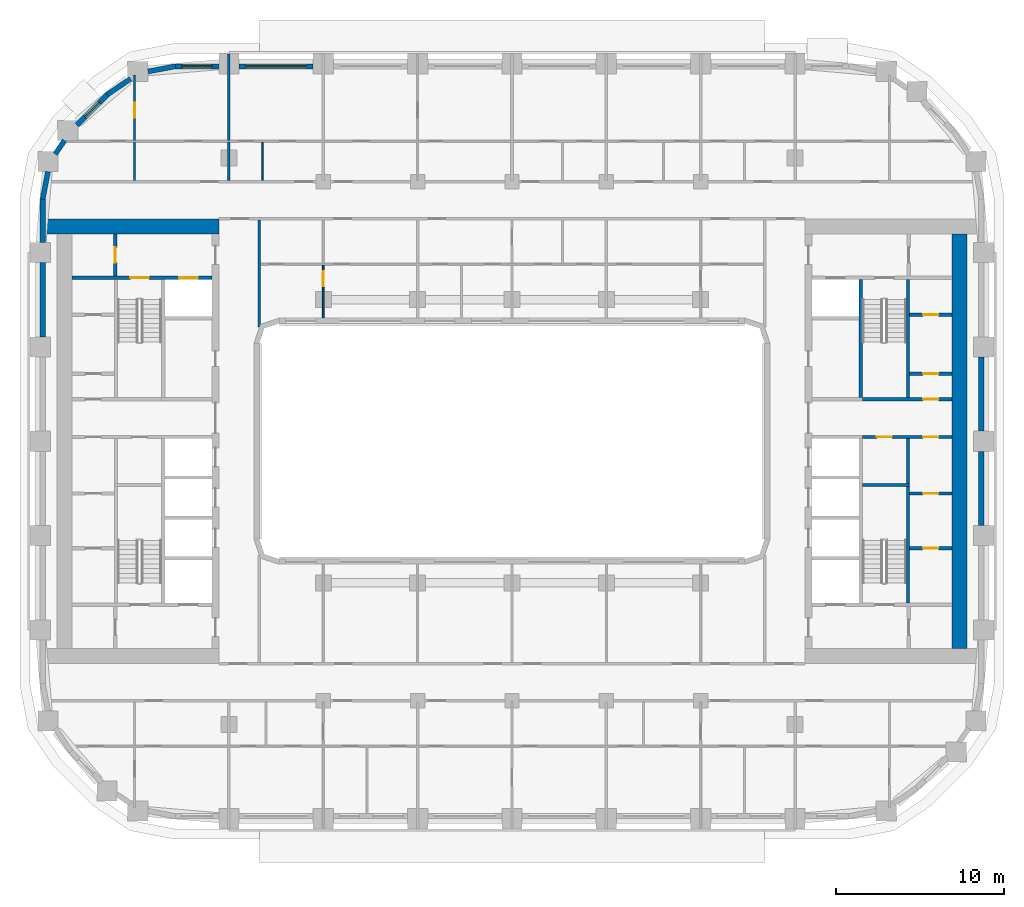
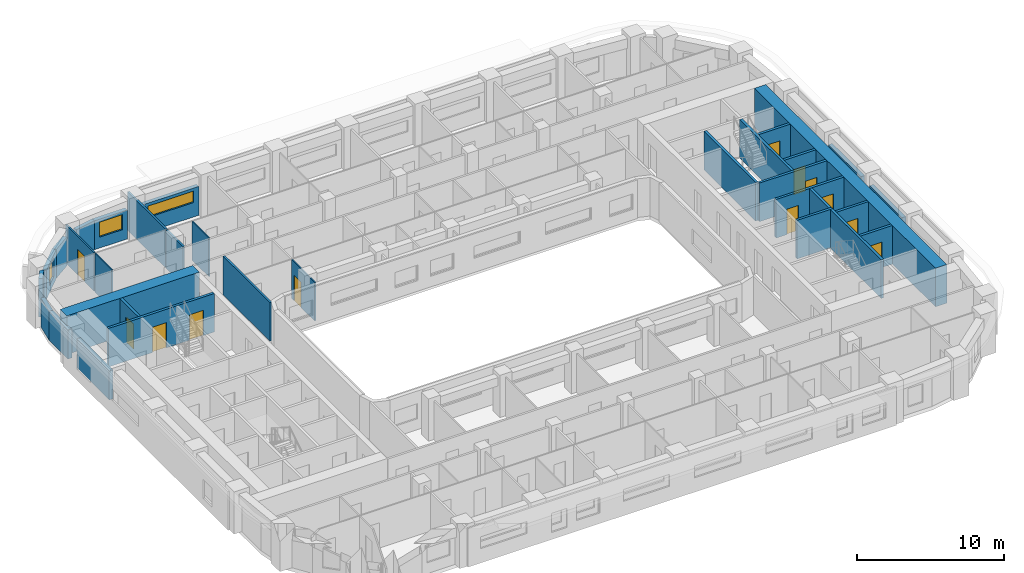
# One storey, part 7 of 21: 33 walls, 12 doors, 3 windows, 15 openings.
"""IFC4 building model written with IfcOpenShell, lengths in metres."""

from ifc_helpers import new_model, si_unit, direction, frame, frame_2d, origin, place, context, subcontext, project, spatial, rectangle, extrude, material, layer, layer_set, type_object, element, fill, save


model = new_model("IFC4")

# Units and contexts
model_context = context("Model", 3, precision=1e-05, world=origin(), true_north=direction((0.0, 1.0)))
body_context = subcontext(model_context, "Body", "Model", "MODEL_VIEW")
ifc_project = project(units=[si_unit("LENGTHUNIT", "METRE"), si_unit("AREAUNIT", "SQUARE_METRE"), si_unit("VOLUMEUNIT", "CUBIC_METRE"), si_unit("PLANEANGLEUNIT", "RADIAN"), si_unit("MASSUNIT", "GRAM", prefix="KILO")], contexts=[model_context])

# Site, building, storey
site_placement = place(None, origin())
site = spatial("IfcSite", under=ifc_project, at=site_placement, CompositionType="ELEMENT")
building_placement = place(site_placement, origin())
building = spatial("IfcBuilding", under=site, at=building_placement, Name="Kiln Ring Residences", CompositionType="ELEMENT")
storey_placement = place(building_placement, frame((0.0, 0.0, 114.800048828125)))
storey = spatial("IfcBuildingStorey", under=building, at=storey_placement, Name="L29", CompositionType="ELEMENT", Elevation=114.800048828125)

# Wall, opening, door
ifc_material_1 = material(Name="Gypsum board on steel studs", Category="steel")
ifc_layer_1 = layer(ifc_material_1, 0.199951171875)
ifc_layer_set_1 = layer_set([ifc_layer_1], Name="CORE-PARTITION-200")
wall_type_1 = type_object("IfcWallType", Name="CORE-PARTITION-200", PredefinedType="PARTITIONING", material=ifc_layer_set_1)
wall_1_placement = place(storey_placement, frame((-23.550048828125, 9.800048828125, 0.0), z_axis=(0.0, 0.0, 1.0), x_axis=(0.0, 1.0, 0.0)))
wall_1 = element("IfcWall", 1, at=wall_1_placement, inside=storey, type_object=wall_type_1, Name="Core partition west L29 3", PredefinedType="PARTITIONING", context=body_context, shape_type="SweptSolid", body=[
    extrude(rectangle(XDim=2.5, YDim=0.199951171875, at=frame_2d((1.25, 0.0))), origin(), (0.0, 0.0, 1.0), 3.199951171875),
])
opening_1_placement = place(wall_1_placement, frame((0.800048828125, 0.0, 0.0)))
opening_1 = element("IfcOpeningElement", 2, at=opening_1_placement, cuts=wall_1, Name="Opening L29-CW09", PredefinedType="OPENING", context=body_context, shape_type="SweptSolid", body=[
    extrude(rectangle(XDim=0.89990234375, YDim=2.10009765625, at=frame_2d((0.449951171875, 1.050048828125))), frame((0.0, 0.10986328125, 0.0), z_axis=(0.0, -1.0, 0.0), x_axis=(1.0, 0.0, 0.0)), (0.0, 0.0, 1.0), 0.219970703125),
])
ifc_material_2 = material(Name="Steel door leaf", Category="steel")
door_type_1 = type_object("IfcDoorType", Name="CORE-DOOR-ROOM", OperationType="SINGLE_SWING_LEFT", PredefinedType="DOOR", material=ifc_material_2)
door_1_placement = place(opening_1_placement, origin())
door_1 = element("IfcDoor", 3, at=door_1_placement, inside=storey, type_object=door_type_1, Name="Fire riser room L29-CW09", OperationType="SINGLE_SWING_LEFT", OverallHeight=2.10009765625, OverallWidth=0.89990234375, PredefinedType="DOOR", context=body_context, shape_type="SweptSolid", body=[
    extrude(rectangle(XDim=0.89990234375, YDim=2.10009765625, at=frame_2d((0.449951171875, 1.050048828125))), frame((0.0, 0.02490234375, 0.0), z_axis=(0.0, -1.0, 0.0), x_axis=(1.0, 0.0, 0.0)), (0.0, 0.0, 1.0), 0.050048828125),
])
fill(opening_1, door_1)

# Wall
wall_2_placement = place(storey_placement, frame((23.5, -2.5, 0.0), z_axis=(0.0, 0.0, 1.0), x_axis=(0.0, 1.0, 0.0)))
element("IfcWall", 4, at=wall_2_placement, inside=storey, type_object=wall_type_1, Name="Core partition east L29 1", PredefinedType="PARTITIONING", context=body_context, shape_type="SweptSolid", body=[
    extrude(rectangle(XDim=2.64990234375, YDim=0.199951171875, at=frame_2d((1.324951171875, 0.0))), origin(), (0.0, 0.0, 1.0), 3.199951171875),
])

# Wall, openings, doors
wall_3_placement = place(storey_placement, frame((20.800048828125, 0.25, 0.0), z_axis=(0.0, 0.0, 1.0), x_axis=(1.0, 0.0, 0.0)))
wall_3 = element("IfcWall", 5, at=wall_3_placement, inside=storey, type_object=wall_type_1, Name="Core partition east L29 2", PredefinedType="PARTITIONING", context=body_context, shape_type="SweptSolid", body=[
    extrude(rectangle(XDim=5.300048828125, YDim=0.199951171875, at=frame_2d((2.64990234375, 0.0))), origin(), (0.0, 0.0, 1.0), 3.199951171875),
])
opening_2_placement = place(wall_3_placement, frame((0.85009765625, 0.0, 0.0)))
opening_2 = element("IfcOpeningElement", 6, at=opening_2_placement, cuts=wall_3, Name="Opening L29-CE14", PredefinedType="OPENING", context=body_context, shape_type="SweptSolid", body=[
    extrude(rectangle(XDim=0.89990234375, YDim=2.10009765625, at=frame_2d((0.449951171875, 1.050048828125))), frame((0.0, 0.10986328125, 0.0), z_axis=(0.0, -1.0, 0.0), x_axis=(1.0, 0.0, 0.0)), (0.0, 0.0, 1.0), 0.219970703125),
])
opening_3_placement = place(wall_3_placement, frame((3.60009765625, 0.0, 0.0)))
opening_3 = element("IfcOpeningElement", 7, at=opening_3_placement, cuts=wall_3, Name="Opening L29-CE17", PredefinedType="OPENING", context=body_context, shape_type="SweptSolid", body=[
    extrude(rectangle(XDim=0.89990234375, YDim=2.10009765625, at=frame_2d((0.449951171875, 1.050048828125))), frame((0.0, 0.10986328125, 0.0), z_axis=(0.0, -1.0, 0.0), x_axis=(1.0, 0.0, 0.0)), (0.0, 0.0, 1.0), 0.219970703125),
])
door_2_placement = place(opening_2_placement, origin())
door_2 = element("IfcDoor", 8, at=door_2_placement, inside=storey, type_object=door_type_1, Name="Electrical riser room L29-CE14", OperationType="SINGLE_SWING_LEFT", OverallHeight=2.10009765625, OverallWidth=0.89990234375, PredefinedType="DOOR", context=body_context, shape_type="SweptSolid", body=[
    extrude(rectangle(XDim=0.89990234375, YDim=2.10009765625, at=frame_2d((0.449951171875, 1.050048828125))), frame((0.0, 0.02490234375, 0.0), z_axis=(0.0, -1.0, 0.0), x_axis=(1.0, 0.0, 0.0)), (0.0, 0.0, 1.0), 0.050048828125),
])
fill(opening_2, door_2)
door_3_placement = place(opening_3_placement, origin())
door_3 = element("IfcDoor", 9, at=door_3_placement, inside=storey, type_object=door_type_1, Name="Plant room L29-CE17", OperationType="SINGLE_SWING_RIGHT", OverallHeight=2.10009765625, OverallWidth=0.89990234375, PredefinedType="DOOR", context=body_context, shape_type="SweptSolid", body=[
    extrude(rectangle(XDim=0.89990234375, YDim=2.10009765625, at=frame_2d((0.449951171875, 1.050048828125))), frame((0.0, 0.02490234375, 0.0), z_axis=(0.0, -1.0, 0.0), x_axis=(1.0, 0.0, 0.0)), (0.0, 0.0, 1.0), 0.050048828125),
])
fill(opening_3, door_3)

# Wall, opening, door
wall_4_placement = place(storey_placement, frame((23.60009765625, -6.35009765625, 0.0), z_axis=(0.0, 0.0, 1.0), x_axis=(1.0, 0.0, 0.0)))
wall_4 = element("IfcWall", 10, at=wall_4_placement, inside=storey, type_object=wall_type_1, Name="Core partition east L29 5", PredefinedType="PARTITIONING", context=body_context, shape_type="SweptSolid", body=[
    extrude(rectangle(XDim=2.5, YDim=0.199951171875, at=frame_2d((1.25, 0.0))), origin(), (0.0, 0.0, 1.0), 3.199951171875),
])
opening_4_placement = place(wall_4_placement, frame((0.800048828125, 0.0, 0.0)))
opening_4 = element("IfcOpeningElement", 11, at=opening_4_placement, cuts=wall_4, Name="Opening L29-CE15", PredefinedType="OPENING", context=body_context, shape_type="SweptSolid", body=[
    extrude(rectangle(XDim=0.89990234375, YDim=2.10009765625, at=frame_2d((0.449951171875, 1.050048828125))), frame((0.0, 0.10986328125, 0.0), z_axis=(0.0, -1.0, 0.0), x_axis=(1.0, 0.0, 0.0)), (0.0, 0.0, 1.0), 0.219970703125),
])
door_4_placement = place(opening_4_placement, origin())
door_4 = element("IfcDoor", 12, at=door_4_placement, inside=storey, type_object=door_type_1, Name="Meter room L29-CE15", OperationType="SINGLE_SWING_LEFT", OverallHeight=2.10009765625, OverallWidth=0.89990234375, PredefinedType="DOOR", context=body_context, shape_type="SweptSolid", body=[
    extrude(rectangle(XDim=0.89990234375, YDim=2.10009765625, at=frame_2d((0.449951171875, 1.050048828125))), frame((0.0, 0.02490234375, 0.0), z_axis=(0.0, -1.0, 0.0), x_axis=(1.0, 0.0, 0.0)), (0.0, 0.0, 1.0), 0.050048828125),
])
fill(opening_4, door_4)

wall_5_placement = place(storey_placement, frame((23.60009765625, -3.10009765625, 0.0), z_axis=(0.0, 0.0, 1.0), x_axis=(1.0, 0.0, 0.0)))
wall_5 = element("IfcWall", 13, at=wall_5_placement, inside=storey, type_object=wall_type_1, Name="Core partition east L29 6", PredefinedType="PARTITIONING", context=body_context, shape_type="SweptSolid", body=[
    extrude(rectangle(XDim=2.5, YDim=0.199951171875, at=frame_2d((1.25, 0.0))), origin(), (0.0, 0.0, 1.0), 3.199951171875),
])
opening_5_placement = place(wall_5_placement, frame((0.800048828125, 0.0, 0.0)))
opening_5 = element("IfcOpeningElement", 14, at=opening_5_placement, cuts=wall_5, Name="Opening L29-CE16", PredefinedType="OPENING", context=body_context, shape_type="SweptSolid", body=[
    extrude(rectangle(XDim=0.89990234375, YDim=2.10009765625, at=frame_2d((0.449951171875, 1.050048828125))), frame((0.0, 0.10986328125, 0.0), z_axis=(0.0, -1.0, 0.0), x_axis=(1.0, 0.0, 0.0)), (0.0, 0.0, 1.0), 0.219970703125),
])
door_5_placement = place(opening_5_placement, origin())
door_5 = element("IfcDoor", 15, at=door_5_placement, inside=storey, type_object=door_type_1, Name="Plant room L29-CE16", OperationType="SINGLE_SWING_RIGHT", OverallHeight=2.10009765625, OverallWidth=0.89990234375, PredefinedType="DOOR", context=body_context, shape_type="SweptSolid", body=[
    extrude(rectangle(XDim=0.89990234375, YDim=2.10009765625, at=frame_2d((0.449951171875, 1.050048828125))), frame((0.0, 0.02490234375, 0.0), z_axis=(0.0, -1.0, 0.0), x_axis=(1.0, 0.0, 0.0)), (0.0, 0.0, 1.0), 0.050048828125),
])
fill(opening_5, door_5)

wall_6_placement = place(storey_placement, frame((23.60009765625, 4.0, 0.0), z_axis=(0.0, 0.0, 1.0), x_axis=(1.0, 0.0, 0.0)))
wall_6 = element("IfcWall", 16, at=wall_6_placement, inside=storey, type_object=wall_type_1, Name="Core partition east L29 7", PredefinedType="PARTITIONING", context=body_context, shape_type="SweptSolid", body=[
    extrude(rectangle(XDim=2.5, YDim=0.199951171875, at=frame_2d((1.25, 0.0))), origin(), (0.0, 0.0, 1.0), 3.199951171875),
])
opening_6_placement = place(wall_6_placement, frame((0.800048828125, 0.0, 0.0)))
opening_6 = element("IfcOpeningElement", 17, at=opening_6_placement, cuts=wall_6, Name="Opening L29-CE18", PredefinedType="OPENING", context=body_context, shape_type="SweptSolid", body=[
    extrude(rectangle(XDim=0.89990234375, YDim=2.10009765625, at=frame_2d((0.449951171875, 1.050048828125))), frame((0.0, 0.10986328125, 0.0), z_axis=(0.0, -1.0, 0.0), x_axis=(1.0, 0.0, 0.0)), (0.0, 0.0, 1.0), 0.219970703125),
])
door_6_placement = place(opening_6_placement, origin())
door_6 = element("IfcDoor", 18, at=door_6_placement, inside=storey, type_object=door_type_1, Name="Electrical plant room L29-CE18", OperationType="SINGLE_SWING_RIGHT", OverallHeight=2.10009765625, OverallWidth=0.89990234375, PredefinedType="DOOR", context=body_context, shape_type="SweptSolid", body=[
    extrude(rectangle(XDim=0.89990234375, YDim=2.10009765625, at=frame_2d((0.449951171875, 1.050048828125))), frame((0.0, 0.02490234375, 0.0), z_axis=(0.0, -1.0, 0.0), x_axis=(1.0, 0.0, 0.0)), (0.0, 0.0, 1.0), 0.050048828125),
])
fill(opening_6, door_6)

wall_7_placement = place(storey_placement, frame((23.60009765625, 7.5, 0.0), z_axis=(0.0, 0.0, 1.0), x_axis=(1.0, 0.0, 0.0)))
wall_7 = element("IfcWall", 19, at=wall_7_placement, inside=storey, type_object=wall_type_1, Name="Core partition east L29 8", PredefinedType="PARTITIONING", context=body_context, shape_type="SweptSolid", body=[
    extrude(rectangle(XDim=2.5, YDim=0.199951171875, at=frame_2d((1.25, 0.0))), origin(), (0.0, 0.0, 1.0), 3.199951171875),
])
opening_7_placement = place(wall_7_placement, frame((0.800048828125, 0.0, 0.0)))
opening_7 = element("IfcOpeningElement", 20, at=opening_7_placement, cuts=wall_7, Name="Opening L29-CE19", PredefinedType="OPENING", context=body_context, shape_type="SweptSolid", body=[
    extrude(rectangle(XDim=0.89990234375, YDim=2.10009765625, at=frame_2d((0.449951171875, 1.050048828125))), frame((0.0, 0.10986328125, 0.0), z_axis=(0.0, -1.0, 0.0), x_axis=(1.0, 0.0, 0.0)), (0.0, 0.0, 1.0), 0.219970703125),
])
door_7_placement = place(opening_7_placement, origin())
door_7 = element("IfcDoor", 21, at=door_7_placement, inside=storey, type_object=door_type_1, Name="UPS room L29-CE19", OperationType="SINGLE_SWING_LEFT", OverallHeight=2.10009765625, OverallWidth=0.89990234375, PredefinedType="DOOR", context=body_context, shape_type="SweptSolid", body=[
    extrude(rectangle(XDim=0.89990234375, YDim=2.10009765625, at=frame_2d((0.449951171875, 1.050048828125))), frame((0.0, 0.02490234375, 0.0), z_axis=(0.0, -1.0, 0.0), x_axis=(1.0, 0.0, 0.0)), (0.0, 0.0, 1.0), 0.050048828125),
])
fill(opening_7, door_7)

# Wall, openings, doors
ifc_material_3 = material(Name="Concrete C40/50", Category="concrete")
ifc_layer_2 = layer(ifc_material_3, 0.199951171875)
ifc_layer_set_2 = layer_set([ifc_layer_2], Name="CORE-WALL-RC200")
wall_type_2 = type_object("IfcWallType", Name="CORE-WALL-RC200", PredefinedType="SHEAR", material=ifc_layer_set_2)
wall_8_placement = place(storey_placement, frame((-17.800048828125, 9.699951171875, 0.0), z_axis=(0.0, 0.0, 1.0), x_axis=(-1.0, 0.0, 0.0)))
wall_8 = element("IfcWall", 22, at=wall_8_placement, inside=storey, type_object=wall_type_2, Name="Core wall west L29 9", PredefinedType="SHEAR", context=body_context, shape_type="SweptSolid", body=[
    extrude(rectangle(XDim=8.300048828125, YDim=0.199951171875, at=frame_2d((4.14990234375, 0.0))), origin(), (0.0, 0.0, 1.0), 3.199951171875),
])
opening_8_placement = place(wall_8_placement, frame((0.85009765625, 0.0, 0.0)))
opening_8 = element("IfcOpeningElement", 23, at=opening_8_placement, cuts=wall_8, Name="Opening L29-CW06", PredefinedType="OPENING", context=body_context, shape_type="SweptSolid", body=[
    extrude(rectangle(XDim=1.10009765625, YDim=2.10009765625, at=frame_2d((0.550048828125, 1.050048828125))), frame((0.0, 0.10986328125, 0.0), z_axis=(0.0, -1.0, 0.0), x_axis=(1.0, 0.0, 0.0)), (0.0, 0.0, 1.0), 0.219970703125),
])
opening_9_placement = place(wall_8_placement, frame((3.75, 0.0, 0.0)))
opening_9 = element("IfcOpeningElement", 24, at=opening_9_placement, cuts=wall_8, Name="Opening L29-CW11", PredefinedType="OPENING", context=body_context, shape_type="SweptSolid", body=[
    extrude(rectangle(XDim=1.10009765625, YDim=2.10009765625, at=frame_2d((0.550048828125, 1.050048828125))), frame((0.0, 0.10986328125, 0.0), z_axis=(0.0, -1.0, 0.0), x_axis=(1.0, 0.0, 0.0)), (0.0, 0.0, 1.0), 0.219970703125),
])
ifc_material_4 = material(Name="Steel door leaf", Category="steel")
door_type_2 = type_object("IfcDoorType", Name="CORE-DOOR-LD", OperationType="DOUBLE_DOOR_SLIDING", PredefinedType="DOOR", material=ifc_material_4)
door_8_placement = place(opening_8_placement, origin())
door_8 = element("IfcDoor", 25, at=door_8_placement, inside=storey, type_object=door_type_2, Name="LD W-FF L29-CW06", OperationType="DOUBLE_DOOR_SLIDING", OverallHeight=2.10009765625, OverallWidth=1.10009765625, PredefinedType="DOOR", context=body_context, shape_type="SweptSolid", body=[
    extrude(rectangle(XDim=1.10009765625, YDim=2.10009765625, at=frame_2d((0.550048828125, 1.050048828125))), frame((0.0, 0.02490234375, 0.0), z_axis=(0.0, -1.0, 0.0), x_axis=(1.0, 0.0, 0.0)), (0.0, 0.0, 1.0), 0.050048828125),
])
fill(opening_8, door_8)
ifc_material_5 = material(Name="Steel door leaf", Category="steel")
door_type_3 = type_object("IfcDoorType", Name="CORE-DOOR-STAIR", OperationType="SINGLE_SWING_LEFT", PredefinedType="DOOR", material=ifc_material_5)
door_9_placement = place(opening_9_placement, origin())
door_9 = element("IfcDoor", 26, at=door_9_placement, inside=storey, type_object=door_type_3, Name="Stair W-STN L29-CW11", OperationType="SINGLE_SWING_LEFT", OverallHeight=2.10009765625, OverallWidth=1.10009765625, PredefinedType="DOOR", context=body_context, shape_type="SweptSolid", body=[
    extrude(rectangle(XDim=1.10009765625, YDim=2.10009765625, at=frame_2d((0.550048828125, 1.050048828125))), frame((0.0, 0.02490234375, 0.0), z_axis=(0.0, -1.0, 0.0), x_axis=(1.0, 0.0, 0.0)), (0.0, 0.0, 1.0), 0.050048828125),
])
fill(opening_9, door_9)

# Wall
wall_9_placement = place(storey_placement, frame((20.699951171875, 2.60009765625, 0.0), z_axis=(0.0, 0.0, 1.0), x_axis=(0.0, 1.0, 0.0)))
element("IfcWall", 27, at=wall_9_placement, inside=storey, type_object=wall_type_2, Name="Core wall east L29 1", PredefinedType="SHEAR", context=body_context, shape_type="SweptSolid", body=[
    extrude(rectangle(XDim=7.0, YDim=0.199951171875, at=frame_2d((3.5, 0.0))), origin(), (0.0, 0.0, 1.0), 3.199951171875),
])

# Wall, opening, door
wall_10_placement = place(storey_placement, frame((20.800048828125, 2.5, 0.0), z_axis=(0.0, 0.0, 1.0), x_axis=(1.0, 0.0, 0.0)))
wall_10 = element("IfcWall", 28, at=wall_10_placement, inside=storey, type_object=wall_type_2, Name="Core wall east L29 3", PredefinedType="SHEAR", context=body_context, shape_type="SweptSolid", body=[
    extrude(rectangle(XDim=5.300048828125, YDim=0.199951171875, at=frame_2d((2.64990234375, 0.0))), origin(), (0.0, 0.0, 1.0), 3.199951171875),
])
opening_10_placement = place(wall_10_placement, frame((3.60009765625, 0.0, 0.0)))
opening_10 = element("IfcOpeningElement", 29, at=opening_10_placement, cuts=wall_10, Name="Opening L29-CE20", PredefinedType="OPENING", context=body_context, shape_type="SweptSolid", body=[
    extrude(rectangle(XDim=0.89990234375, YDim=2.10009765625, at=frame_2d((0.449951171875, 1.050048828125))), frame((0.0, 0.10986328125, 0.0), z_axis=(0.0, -1.0, 0.0), x_axis=(1.0, 0.0, 0.0)), (0.0, 0.0, 1.0), 0.219970703125),
])
door_10_placement = place(opening_10_placement, origin())
door_10 = element("IfcDoor", 30, at=door_10_placement, inside=storey, type_object=door_type_1, Name="Comms room L29-CE20", OperationType="SINGLE_SWING_RIGHT", OverallHeight=2.10009765625, OverallWidth=0.89990234375, PredefinedType="DOOR", context=body_context, shape_type="SweptSolid", body=[
    extrude(rectangle(XDim=0.89990234375, YDim=2.10009765625, at=frame_2d((0.449951171875, 1.050048828125))), frame((0.0, 0.02490234375, 0.0), z_axis=(0.0, -1.0, 0.0), x_axis=(1.0, 0.0, 0.0)), (0.0, 0.0, 1.0), 0.050048828125),
])
fill(opening_10, door_10)

# Walls
wall_11_placement = place(storey_placement, frame((23.5, 2.60009765625, 0.0), z_axis=(0.0, 0.0, 1.0), x_axis=(0.0, 1.0, 0.0)))
element("IfcWall", 31, at=wall_11_placement, inside=storey, type_object=wall_type_2, Name="Core wall east L29 10", PredefinedType="SHEAR", context=body_context, shape_type="SweptSolid", body=[
    extrude(rectangle(XDim=7.0, YDim=0.199951171875, at=frame_2d((3.5, 0.0))), origin(), (0.0, 0.0, 1.0), 3.199951171875),
])
wall_12_placement = place(storey_placement, frame((23.5, -9.60009765625, 0.0), z_axis=(0.0, 0.0, 1.0), x_axis=(0.0, 1.0, 0.0)))
element("IfcWall", 32, at=wall_12_placement, inside=storey, type_object=wall_type_2, Name="Core wall east L29 11", PredefinedType="SHEAR", context=body_context, shape_type="SweptSolid", body=[
    extrude(rectangle(XDim=6.900146484375, YDim=0.199951171875, at=frame_2d((3.4501953125, 0.0))), origin(), (0.0, 0.0, 1.0), 3.199951171875),
])
wall_13_placement = place(storey_placement, frame((20.800048828125, -2.60009765625, 0.0), z_axis=(0.0, 0.0, 1.0), x_axis=(1.0, 0.0, 0.0)))
element("IfcWall", 33, at=wall_13_placement, inside=storey, type_object=wall_type_2, Name="Core wall east L29 12", PredefinedType="SHEAR", context=body_context, shape_type="SweptSolid", body=[
    extrude(rectangle(XDim=2.800048828125, YDim=0.199951171875, at=frame_2d((1.39990234375, 0.0))), origin(), (0.0, 0.0, 1.0), 3.199951171875),
])
ifc_material_6 = material(Name="Concrete C60/75", Category="concrete")
ifc_layer_3 = layer(ifc_material_6, 0.89990234375)
ifc_layer_set_3 = layer_set([ifc_layer_3], Name="CORE-WALL-RC900")
wall_type_3 = type_object("IfcWallType", Name="CORE-WALL-RC900", PredefinedType="SHEAR", material=ifc_layer_set_3)
wall_14_placement = place(storey_placement, frame((-17.39990234375, 12.75, 0.0), z_axis=(0.0, 0.0, 1.0), x_axis=(-1.0, 0.0, 0.0)))
element("IfcWall", 34, at=wall_14_placement, inside=storey, type_object=wall_type_3, Name="Core wall west L29 4", PredefinedType="SHEAR", context=body_context, shape_type="SweptSolid", body=[
    extrude(rectangle(XDim=10.400146484375, YDim=0.89990234375, at=frame_2d((5.2001953125, 0.0))), origin(), (0.0, 0.0, 1.0), 3.199951171875),
])
wall_15_placement = place(storey_placement, frame((26.550048828125, -12.300048828125, 0.0), z_axis=(0.0, 0.0, 1.0), x_axis=(0.0, 1.0, 0.0)))
element("IfcWall", 35, at=wall_15_placement, inside=storey, type_object=wall_type_3, Name="Core wall east L29 7", PredefinedType="SHEAR", context=body_context, shape_type="SweptSolid", body=[
    extrude(rectangle(XDim=24.60009765625, YDim=0.89990234375, at=frame_2d((12.300048828125, 0.0))), origin(), (0.0, 0.0, 1.0), 3.199951171875),
])
ifc_material_7 = material(Name="Brick masonry, dark clay brick", Category="masonry")
ifc_layer_4 = layer(ifc_material_7, 0.300048828125)
ifc_layer_set_4 = layer_set([ifc_layer_4], Name="EW-300 BRICK WALL")
wall_type_4 = type_object("IfcWallType", Name="EW-300 BRICK WALL", PredefinedType="SOLIDWALL", material=ifc_layer_set_4)
for number, where, z_axis, x_axis, name in (
    (36, (27.85009765625, -5.0, 0.0), (0.0, 0.0, 1.0), (0.0, 1.0, 0.0), "Facade wall L29 19"),
    (37, (27.85009765625, 0.60009765625, 0.0), (0.0, 0.0, 1.0), (0.0, 1.0, 0.0), "Facade wall L29 20"),
):
    element("IfcWall", number, at=place(storey_placement, frame(where, z_axis=z_axis, x_axis=x_axis)), inside=storey, type_object=wall_type_4, Name=name, PredefinedType="SOLIDWALL", context=body_context, shape_type="SweptSolid", body=[
        extrude(rectangle(XDim=4.39990234375, YDim=0.300048828125, at=frame_2d((2.199951171875, 0.0))), origin(), (0.0, 0.0, 1.0), 2.39990234375),
    ])

# Wall, opening, window
wall_16_placement = place(storey_placement, frame((-11.800048828125, 22.25, 0.0), z_axis=(0.0, 0.0, 1.0), x_axis=(-1.0, 0.0, 0.0)))
wall_16 = element("IfcWall", 38, at=wall_16_placement, inside=storey, type_object=wall_type_4, Name="Facade wall L29 34", PredefinedType="SOLIDWALL", context=body_context, shape_type="SweptSolid", body=[
    extrude(rectangle(XDim=4.39990234375, YDim=0.300048828125, at=frame_2d((2.199951171875, 0.0))), origin(), (0.0, 0.0, 1.0), 2.39990234375),
])
opening_11_placement = place(wall_16_placement, frame((0.39990234375, 0.0, 1.199951171875)))
opening_11 = element("IfcOpeningElement", 39, at=opening_11_placement, cuts=wall_16, Name="Opening W4", PredefinedType="OPENING", context=body_context, shape_type="SweptSolid", body=[
    extrude(rectangle(XDim=3.60009765625, YDim=0.949951171875, at=frame_2d((1.800048828125, 0.47509765625))), frame((0.0, 0.159912109375, 0.0), z_axis=(0.0, -1.0, 0.0), x_axis=(1.0, 0.0, 0.0)), (0.0, 0.0, 1.0), 0.320068359375),
])
ifc_material_8 = material(Name="Aluminium frame with double glazing", Category="aluminium")
window_type_1 = type_object("IfcWindowType", Name="WINDOW 3600 x 950", PartitioningType="SINGLE_PANEL", PredefinedType="WINDOW", material=ifc_material_8)
window_1_placement = place(opening_11_placement, origin())
window_1 = element("IfcWindow", 40, at=window_1_placement, inside=storey, type_object=window_type_1, Name="Window L29 20", OverallHeight=0.949951171875, OverallWidth=3.60009765625, PartitioningType="SINGLE_PANEL", PredefinedType="WINDOW", context=body_context, shape_type="SweptSolid", body=[
    extrude(rectangle(XDim=3.60009765625, YDim=0.949951171875, at=frame_2d((1.800048828125, 0.47509765625))), frame((0.0, 0.030029296875, 0.0), z_axis=(0.0, -1.0, 0.0), x_axis=(1.0, 0.0, 0.0)), (0.0, 0.0, 1.0), 0.06005859375),
])
fill(opening_11, window_1)

wall_17_placement = place(storey_placement, frame((-17.39990234375, 22.25, 0.0), z_axis=(0.0, 0.0, 1.0), x_axis=(-1.0, 0.0, 0.0)))
wall_17 = element("IfcWall", 41, at=wall_17_placement, inside=storey, type_object=wall_type_4, Name="Facade wall L29 35", PredefinedType="SOLIDWALL", context=body_context, shape_type="SweptSolid", body=[
    extrude(rectangle(XDim=2.60009765625, YDim=0.300048828125, at=frame_2d((1.300048828125, 0.0))), origin(), (0.0, 0.0, 1.0), 2.39990234375),
])
opening_12_placement = place(wall_17_placement, frame((0.39990234375, 0.0, 0.89990234375)))
opening_12 = element("IfcOpeningElement", 42, at=opening_12_placement, cuts=wall_17, Name="Opening W2", PredefinedType="OPENING", context=body_context, shape_type="SweptSolid", body=[
    extrude(rectangle(XDim=1.800048828125, YDim=1.25, at=frame_2d((0.89990234375, 0.625))), frame((0.0, 0.159912109375, 0.0), z_axis=(0.0, -1.0, 0.0), x_axis=(1.0, 0.0, 0.0)), (0.0, 0.0, 1.0), 0.320068359375),
])
ifc_material_9 = material(Name="Aluminium frame with double glazing", Category="aluminium")
window_type_2 = type_object("IfcWindowType", Name="WINDOW 1800 x 1250", PartitioningType="SINGLE_PANEL", PredefinedType="WINDOW", material=ifc_material_9)
window_2_placement = place(opening_12_placement, origin())
window_2 = element("IfcWindow", 43, at=window_2_placement, inside=storey, type_object=window_type_2, Name="Window L29 21", OverallHeight=1.25, OverallWidth=1.800048828125, PartitioningType="SINGLE_PANEL", PredefinedType="WINDOW", context=body_context, shape_type="SweptSolid", body=[
    extrude(rectangle(XDim=1.800048828125, YDim=1.25, at=frame_2d((0.89990234375, 0.625))), frame((0.0, 0.030029296875, 0.0), z_axis=(0.0, -1.0, 0.0), x_axis=(1.0, 0.0, 0.0)), (0.0, 0.0, 1.0), 0.06005859375),
])
fill(opening_12, window_2)

# Walls
for number, where, z_axis, x_axis, name in (
    (44, (-19.971923828125, 22.252685546875, 0.0), (0.0, 0.0, 1.0), (-0.98228820662, -0.187376303559, 0.0), "Facade wall L29 36"),
    (45, (-22.64306640625, 21.509765625, 0.0), (0.0, 0.0, 1.0), (-0.827049873329, -0.562128550268, 0.0), "Facade wall L29 37"),
):
    element("IfcWall", number, at=place(storey_placement, frame(where, z_axis=z_axis, x_axis=x_axis)), inside=storey, type_object=wall_type_4, Name=name, PredefinedType="SOLIDWALL", context=body_context, shape_type="SweptSolid", body=[
        extrude(rectangle(XDim=1.656005859375, YDim=0.300048828125, at=frame_2d((0.828125, 0.0))), origin(), (0.0, 0.0, 1.0), 2.39990234375),
    ])

# Wall, opening, window
wall_18_placement = place(storey_placement, frame((-23.990966796875, 20.596923828125, 0.0), z_axis=(0.0, 0.0, 1.0), x_axis=(-0.707106781187, -0.707106781187, 0.0)))
wall_18 = element("IfcWall", 46, at=wall_18_placement, inside=storey, type_object=wall_type_4, Name="Facade wall L29 38", PredefinedType="SOLIDWALL", context=body_context, shape_type="SweptSolid", body=[
    extrude(rectangle(XDim=2.60009765625, YDim=0.300048828125, at=frame_2d((1.300048828125, 0.0))), origin(), (0.0, 0.0, 1.0), 2.39990234375),
])
opening_13_placement = place(wall_18_placement, frame((0.699951171875, 0.0, 0.60009765625)))
opening_13 = element("IfcOpeningElement", 47, at=opening_13_placement, cuts=wall_18, Name="Opening W1", PredefinedType="OPENING", context=body_context, shape_type="SweptSolid", body=[
    extrude(rectangle(XDim=1.199951171875, YDim=1.550048828125, at=frame_2d((0.60009765625, 0.77490234375))), frame((0.0, 0.159912109375, 0.0), z_axis=(0.0, -1.0, 0.0), x_axis=(1.0, 0.0, 0.0)), (0.0, 0.0, 1.0), 0.320068359375),
])
ifc_material_10 = material(Name="Aluminium frame with double glazing", Category="aluminium")
window_type_3 = type_object("IfcWindowType", Name="WINDOW 1200 x 1550", PartitioningType="SINGLE_PANEL", PredefinedType="WINDOW", material=ifc_material_10)
window_3_placement = place(opening_13_placement, origin())
window_3 = element("IfcWindow", 48, at=window_3_placement, inside=storey, type_object=window_type_3, Name="Window L29 22", OverallHeight=1.550048828125, OverallWidth=1.199951171875, PartitioningType="SINGLE_PANEL", PredefinedType="WINDOW", context=body_context, shape_type="SweptSolid", body=[
    extrude(rectangle(XDim=1.199951171875, YDim=1.550048828125, at=frame_2d((0.60009765625, 0.77490234375))), frame((0.0, 0.030029296875, 0.0), z_axis=(0.0, -1.0, 0.0), x_axis=(1.0, 0.0, 0.0)), (0.0, 0.0, 1.0), 0.06005859375),
])
fill(opening_13, window_3)

# Walls
wall_19_placement = place(storey_placement, frame((-26.560546875, 17.85107421875, 0.0), z_axis=(0.0, 0.0, 1.0), x_axis=(-0.562173331661, -0.827019434577, 0.0)))
element("IfcWall", 49, at=wall_19_placement, inside=storey, type_object=wall_type_4, Name="Facade wall L29 39", PredefinedType="SOLIDWALL", context=body_context, shape_type="SweptSolid", body=[
    extrude(rectangle(XDim=0.97705078125, YDim=0.300048828125, at=frame_2d((0.488525390625, 0.0))), origin(), (0.0, 0.0, 1.0), 3.199951171875),
])
wall_20_placement = place(storey_placement, frame((-27.542236328125, 15.998779296875, 0.0), z_axis=(0.0, 0.0, 1.0), x_axis=(-0.187349172861, -0.982293381546, 0.0)))
element("IfcWall", 50, at=wall_20_placement, inside=storey, type_object=wall_type_4, Name="Facade wall L29 40", PredefinedType="SOLIDWALL", context=body_context, shape_type="SweptSolid", body=[
    extrude(rectangle(XDim=1.65625, YDim=0.300048828125, at=frame_2d((0.828125, 0.0))), origin(), (0.0, 0.0, 1.0), 2.39990234375),
])
wall_21_placement = place(storey_placement, frame((-27.85009765625, 14.39990234375, 0.0), z_axis=(0.0, 0.0, 1.0), x_axis=(0.0, -1.0, 0.0)))
element("IfcWall", 51, at=wall_21_placement, inside=storey, type_object=wall_type_4, Name="Facade wall L29 41", PredefinedType="SOLIDWALL", context=body_context, shape_type="SweptSolid", body=[
    extrude(rectangle(XDim=2.599853515625, YDim=0.300048828125, at=frame_2d((1.2998046875, 0.0))), origin(), (0.0, 0.0, 1.0), 2.39990234375),
])
wall_22_placement = place(storey_placement, frame((-27.85009765625, 10.60009765625, 0.0), z_axis=(0.0, 0.0, 1.0), x_axis=(0.0, -1.0, 0.0)))
element("IfcWall", 52, at=wall_22_placement, inside=storey, type_object=wall_type_4, Name="Facade wall L29 42", PredefinedType="SOLIDWALL", context=body_context, shape_type="SweptSolid", body=[
    extrude(rectangle(XDim=4.400146484375, YDim=0.300048828125, at=frame_2d((2.2001953125, 0.0))), origin(), (0.0, 0.0, 1.0), 2.39990234375),
])
ifc_material_11 = material(Name="Gypsum board on steel studs", Category="steel")
ifc_layer_5 = layer(ifc_material_11, 0.10009765625)
ifc_layer_set_5 = layer_set([ifc_layer_5], Name="PARTITION-100")
wall_type_5 = type_object("IfcWallType", Name="PARTITION-100", PredefinedType="PARTITIONING", material=ifc_layer_set_5)
wall_23_placement = place(storey_placement, frame((-22.39990234375, 15.47509765625, 0.0), z_axis=(0.0, 0.0, 1.0), x_axis=(0.0, 1.0, 0.0)))
element("IfcWall", 53, at=wall_23_placement, inside=storey, type_object=wall_type_5, Name="Partition 009", PredefinedType="PARTITIONING", context=body_context, shape_type="SweptSolid", body=[
    extrude(rectangle(XDim=2.27490234375, YDim=0.10009765625, at=frame_2d((1.137451171875, 0.0))), origin(), (0.0, 0.0, 1.0), 3.199951171875),
])

# Wall, opening, door
wall_24_placement = place(storey_placement, frame((-22.39990234375, 17.85009765625, 0.0), z_axis=(0.0, 0.0, 1.0), x_axis=(0.0, 1.0, 0.0)))
wall_24 = element("IfcWall", 54, at=wall_24_placement, inside=storey, type_object=wall_type_5, Name="Partition 010", PredefinedType="PARTITIONING", context=body_context, shape_type="SweptSolid", body=[
    extrude(rectangle(XDim=3.869873046875, YDim=0.10009765625, at=frame_2d((1.93505859375, 0.0))), origin(), (0.0, 0.0, 1.0), 3.199951171875),
])
opening_14_placement = place(wall_24_placement, frame((1.347900390625, 0.0, 0.0)))
opening_14 = element("IfcOpeningElement", 55, at=opening_14_placement, cuts=wall_24, Name="Opening L29-D022", PredefinedType="OPENING", context=body_context, shape_type="SweptSolid", body=[
    extrude(rectangle(XDim=0.89990234375, YDim=2.10009765625, at=frame_2d((0.449951171875, 1.050048828125))), frame((0.0, 0.06005859375, 0.0), z_axis=(0.0, -1.0, 0.0), x_axis=(1.0, 0.0, 0.0)), (0.0, 0.0, 1.0), 0.1201171875),
])
ifc_material_12 = material(Name="Timber door leaf", Category="wood")
door_type_4 = type_object("IfcDoorType", Name="FLAT-DOOR-900-PL", OperationType="SINGLE_SWING_LEFT", PredefinedType="DOOR", material=ifc_material_12)
door_11_placement = place(opening_14_placement, origin())
door_11 = element("IfcDoor", 56, at=door_11_placement, inside=storey, type_object=door_type_4, Name="Door L29-D022", OperationType="SINGLE_SWING_RIGHT", OverallHeight=2.10009765625, OverallWidth=0.89990234375, PredefinedType="DOOR", context=body_context, shape_type="SweptSolid", body=[
    extrude(rectangle(XDim=0.89990234375, YDim=2.10009765625, at=frame_2d((0.449951171875, 1.050048828125))), frame((0.0, 0.02490234375, 0.0), z_axis=(0.0, -1.0, 0.0), x_axis=(1.0, 0.0, 0.0)), (0.0, 0.0, 1.0), 0.050048828125),
])
fill(opening_14, door_11)

# Wall
wall_25_placement = place(storey_placement, frame((-14.800048828125, 15.47509765625, 0.0), z_axis=(0.0, 0.0, 1.0), x_axis=(0.0, 1.0, 0.0)))
element("IfcWall", 57, at=wall_25_placement, inside=storey, type_object=wall_type_5, Name="Partition 017", PredefinedType="PARTITIONING", context=body_context, shape_type="SweptSolid", body=[
    extrude(rectangle(XDim=2.27490234375, YDim=0.10009765625, at=frame_2d((1.137451171875, 0.0))), origin(), (0.0, 0.0, 1.0), 3.199951171875),
])

# Wall, opening, door
wall_26_placement = place(storey_placement, frame((-11.199951171875, 7.320068359375, 0.0), z_axis=(0.0, 0.0, 1.0), x_axis=(0.0, 1.0, 0.0)))
wall_26 = element("IfcWall", 58, at=wall_26_placement, inside=storey, type_object=wall_type_5, Name="Partition 022", PredefinedType="PARTITIONING", context=body_context, shape_type="SweptSolid", body=[
    extrude(rectangle(XDim=3.1298828125, YDim=0.10009765625, at=frame_2d((1.56494140625, 0.0))), origin(), (0.0, 0.0, 1.0), 3.199951171875),
])
opening_15_placement = place(wall_26_placement, frame((1.8798828125, 0.0, 0.0)))
opening_15 = element("IfcOpeningElement", 59, at=opening_15_placement, cuts=wall_26, Name="Opening L29-D008", PredefinedType="OPENING", context=body_context, shape_type="SweptSolid", body=[
    extrude(rectangle(XDim=0.89990234375, YDim=2.10009765625, at=frame_2d((0.449951171875, 1.050048828125))), frame((0.0, 0.06005859375, 0.0), z_axis=(0.0, -1.0, 0.0), x_axis=(1.0, 0.0, 0.0)), (0.0, 0.0, 1.0), 0.1201171875),
])
door_12_placement = place(opening_15_placement, origin())
door_12 = element("IfcDoor", 60, at=door_12_placement, inside=storey, type_object=door_type_4, Name="Door L29-D008", OperationType="SINGLE_SWING_LEFT", OverallHeight=2.10009765625, OverallWidth=0.89990234375, PredefinedType="DOOR", context=body_context, shape_type="SweptSolid", body=[
    extrude(rectangle(XDim=0.89990234375, YDim=2.10009765625, at=frame_2d((0.449951171875, 1.050048828125))), frame((0.0, 0.02490234375, 0.0), z_axis=(0.0, -1.0, 0.0), x_axis=(1.0, 0.0, 0.0)), (0.0, 0.0, 1.0), 0.050048828125),
])
fill(opening_15, door_12)

# Walls
ifc_material_13 = material(Name="Brick masonry partition", Category="masonry")
ifc_layer_6 = layer(ifc_material_13, 0.14990234375)
ifc_layer_set_6 = layer_set([ifc_layer_6], Name="PARTITION-150-ei60")
wall_type_6 = type_object("IfcWallType", Name="PARTITION-150-ei60", PredefinedType="PARTITIONING", material=ifc_layer_set_6)
wall_27_placement = place(storey_placement, frame((-16.800048828125, 15.47509765625, 0.0), z_axis=(0.0, 0.0, 1.0), x_axis=(0.0, 1.0, 0.0)))
element("IfcWall", 61, at=wall_27_placement, inside=storey, type_object=wall_type_6, Name="Partition 013", PredefinedType="PARTITIONING", context=body_context, shape_type="SweptSolid", body=[
    extrude(rectangle(XDim=2.27490234375, YDim=0.14990234375, at=frame_2d((1.137451171875, 0.0))), origin(), (0.0, 0.0, 1.0), 3.199951171875),
])
wall_28_placement = place(storey_placement, frame((-16.800048828125, 17.85009765625, 0.0), z_axis=(0.0, 0.0, 1.0), x_axis=(0.0, 1.0, 0.0)))
element("IfcWall", 62, at=wall_28_placement, inside=storey, type_object=wall_type_6, Name="Partition 014", PredefinedType="PARTITIONING", context=body_context, shape_type="SweptSolid", body=[
    extrude(rectangle(XDim=5.1298828125, YDim=0.14990234375, at=frame_2d((2.56494140625, 0.0))), origin(), (0.0, 0.0, 1.0), 3.199951171875),
])
wall_29_placement = place(storey_placement, frame((-15.0, 6.768798828125, 0.0), z_axis=(0.0, 0.0, 1.0), x_axis=(0.0, 1.0, 0.0)))
element("IfcWall", 63, at=wall_29_placement, inside=storey, type_object=wall_type_6, Name="Partition 016", PredefinedType="PARTITIONING", context=body_context, shape_type="SweptSolid", body=[
    extrude(rectangle(XDim=6.356201171875, YDim=0.14990234375, at=frame_2d((3.17822265625, 0.0))), origin(), (0.0, 0.0, 1.0), 3.199951171875),
])

save(model, "model.ifc")
